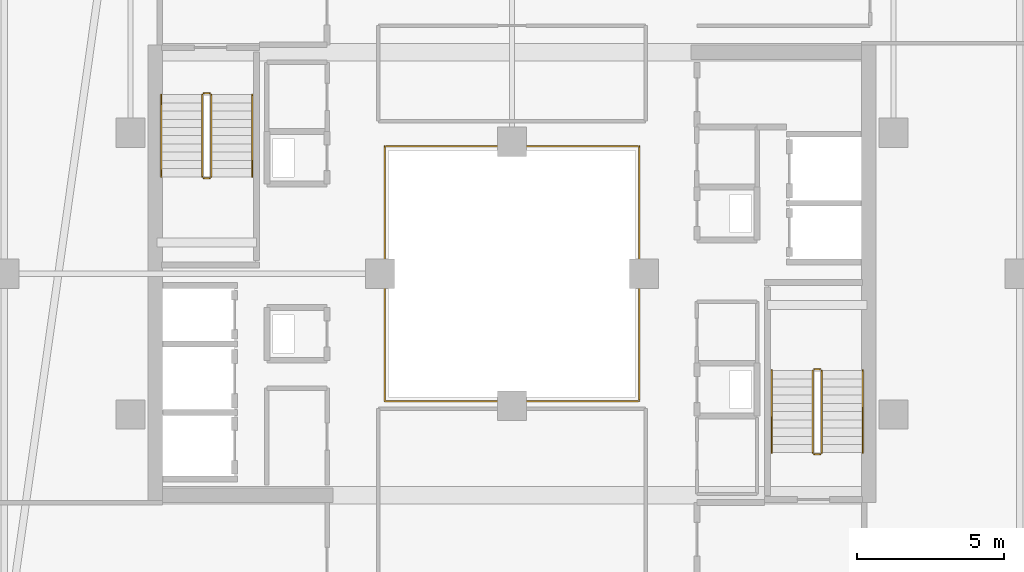
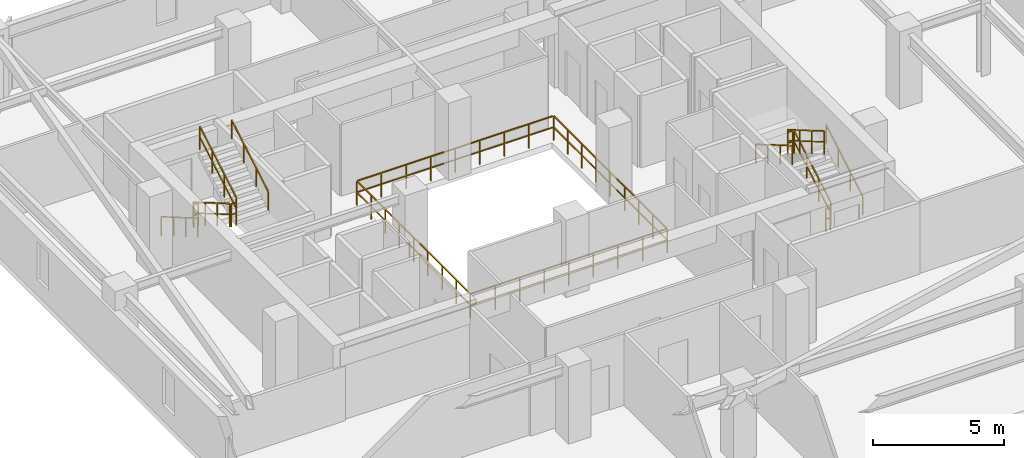
# One storey, part 30 of 31: 13 railings.
"""IFC4 building model written with IfcOpenShell, lengths in metres."""

import ifcopenshell
import ifcopenshell.guid

model = None  # the IFC model being written
_history = None  # IfcOwnerHistory: only IFC2X3 demands one
_inside = {}  # id of a spatial element -> (the spatial element, [elements in it])
_under = {}  # id of a project, library or spatial element -> (it, [spatial elements below it])
_declared = {}  # id of a project -> (the project, [libraries it declares])
_typed = {}  # id of a type object -> (the type object, [elements of that type])
_made_of = {}  # id of a material, layer set ... -> (it, [elements and type objects made of it])


def new_model(schema):
    """Start an empty IFC model of exactly this schema.

    Asked for "IFC4X3", IfcOpenShell would pick the latest addendum, in which some entities
    have other attributes; the version numbers below select the first issue.
    IFC2X3 requires an IfcOwnerHistory on every rooted entity: one is made here for all.
    """
    global model, _history
    if schema == "IFC4X3":
        model = ifcopenshell.file(schema_version=(4, 3, 0, 0))
    else:
        model = ifcopenshell.file(schema=schema)
    _inside.clear()
    _under.clear()
    _declared.clear()
    _typed.clear()
    _made_of.clear()
    _history = None
    if model.schema == "IFC2X3":
        org = make("IfcOrganization", Name="unknown")
        user = make(
            "IfcPersonAndOrganization",
            ThePerson=make("IfcPerson", FamilyName="unknown"),
            TheOrganization=org,
        )
        app = make(
            "IfcApplication",
            ApplicationDeveloper=org,
            Version="unknown",
            ApplicationFullName="unknown",
            ApplicationIdentifier="unknown",
        )
        _history = make(
            "IfcOwnerHistory",
            OwningUser=user,
            OwningApplication=app,
            ChangeAction="ADDED",
            CreationDate=0,
        )
    return model


def make(cls, **values):
    """One entity of the class cls with the attributes given. An attribute that is None is left unset."""
    return model.create_entity(
        cls, **{name: value for name, value in values.items() if value is not None}
    )


def rooted(cls, **values):
    """An entity with a GlobalId (a new one), such as an element, a storey or a relation."""
    return make(cls, GlobalId=ifcopenshell.guid.new(), OwnerHistory=_history, **values)


def si_unit(unit_type, name, prefix=None):
    """IfcSIUnit, for example si_unit("LENGTHUNIT", "METRE", prefix="MILLI")."""
    return make("IfcSIUnit", UnitType=unit_type, Prefix=prefix, Name=name)


def assignment(units):
    """IfcUnitAssignment: the units of a project."""
    return None if units is None else make("IfcUnitAssignment", Units=units)


def point(xyz):
    """IfcCartesianPoint."""
    return None if xyz is None else make("IfcCartesianPoint", Coordinates=xyz)


def direction(xyz):
    """IfcDirection."""
    return None if xyz is None else make("IfcDirection", DirectionRatios=xyz)


def frame(location, z_axis=None, x_axis=None):
    """IfcAxis2Placement3D, a coordinate frame: its origin and axes. An axis left out is left unset."""
    return make(
        "IfcAxis2Placement3D",
        Location=point(location),
        Axis=direction(z_axis),
        RefDirection=direction(x_axis),
    )


def frame_2d(location, x_axis=None):
    """IfcAxis2Placement2D, a coordinate frame in the plane: its origin and x axis."""
    return make(
        "IfcAxis2Placement2D", Location=point(location), RefDirection=direction(x_axis)
    )


def origin():
    """The frame at (0, 0, 0) with its axes left unset."""
    return frame((0.0, 0.0, 0.0))


def origin_2d():
    """The frame at (0, 0) in the plane with its x axis left unset."""
    return frame_2d((0.0, 0.0))


def place(relative_to, where):
    """IfcLocalPlacement: puts the frame where relative to a parent placement (None: the world)."""
    return make(
        "IfcLocalPlacement", PlacementRelTo=relative_to, RelativePlacement=where
    )


def context(
    kind, dimensions, precision=None, world=None, true_north=None, identifier=None
):
    """IfcGeometricRepresentationContext, for example the 3D "Model" context."""
    return make(
        "IfcGeometricRepresentationContext",
        ContextIdentifier=identifier,
        ContextType=kind,
        CoordinateSpaceDimension=dimensions,
        Precision=precision,
        WorldCoordinateSystem=world,
        TrueNorth=true_north,
    )


def subcontext(parent, identifier, kind, view, scale=None):
    """IfcGeometricRepresentationSubContext, for example "Body" below "Model"."""
    return make(
        "IfcGeometricRepresentationSubContext",
        ContextIdentifier=identifier,
        ContextType=kind,
        ParentContext=parent,
        TargetScale=scale,
        TargetView=view,
    )


def project(units=None, contexts=None):
    """IfcProject with its units and contexts."""
    return rooted(
        "IfcProject",
        Name="project",
        RepresentationContexts=contexts,
        UnitsInContext=assignment(units),
    )


def spatial(cls, under=None, at=None, **own):
    """A site, building, storey or space (cls), placed at a placement, below another one or the project."""
    s = rooted(cls, ObjectPlacement=at, **own)
    if under is not None:
        _under.setdefault(under.id(), (under, []))[1].append(s)
    return s


def profile(cls, at=None, kind="AREA", **sizes):
    """A parametric profile (cls). Its sizes go by their IFC names, for example OverallWidth=200.0."""
    return make(cls, ProfileType=kind, Position=at, **sizes)


def rectangle(**sizes):
    """IfcRectangleProfileDef."""
    return profile("IfcRectangleProfileDef", **sizes)


def extrude(swept, where, along, depth):
    """IfcExtrudedAreaSolid: the profile swept, set in the frame where, extruded along a direction by depth."""
    return make(
        "IfcExtrudedAreaSolid",
        SweptArea=swept,
        Position=where,
        ExtrudedDirection=direction(along),
        Depth=depth,
    )


def shape(context_of_items, identifier, shape_type, items):
    """IfcShapeRepresentation: the items that make up one representation, for example the "Body"."""
    return make(
        "IfcShapeRepresentation",
        ContextOfItems=context_of_items,
        RepresentationIdentifier=identifier,
        RepresentationType=shape_type,
        Items=items,
    )


def material(Name=None, Category=None):
    """IfcMaterial."""
    return make("IfcMaterial", Name=Name, Category=Category)


def made_of(thing, what):
    """Note that an element or type object is made of a material, layer set ...; save() writes the relation."""
    if what is not None:
        _made_of.setdefault(what.id(), (what, []))[1].append(thing)
    return thing


def type_object(cls, material=None, **own):
    """A type object (cls), such as IfcWallType, which elements share."""
    return made_of(rooted(cls, **own), material)


def element(
    cls,
    number,
    at=None,
    inside=None,
    cuts=None,
    type_object=None,
    material=None,
    context=None,
    identifier="Body",
    shape_type=None,
    held_by="IfcProductDefinitionShape",
    body=None,
    shapes=None,
    **own,
):
    """One element of the class cls, such as IfcWall. Its Tag is "e" and its number.

    at: its placement. inside: the storey or other place that contains it. cuts: it is an
    opening in that element (IfcRelVoidsElement). A single representation is given by context,
    identifier, shape_type and body (its items); several are given by shapes. held_by: the class
    of the entity that holds the representations. save() writes the other relations.
    """
    e = rooted(cls, Tag="e%d" % number, ObjectPlacement=at, **own)
    if body is not None:
        shapes = [shape(context, identifier, shape_type, body)]
    if shapes is not None:
        e.Representation = make(held_by, Representations=shapes)
    if inside is not None:
        _inside.setdefault(inside.id(), (inside, []))[1].append(e)
    if cuts is not None:
        rooted(
            "IfcRelVoidsElement", RelatingBuildingElement=cuts, RelatedOpeningElement=e
        )
    if type_object is not None:
        _typed.setdefault(type_object.id(), (type_object, []))[1].append(e)
    return made_of(e, material)


def aggregate(whole, parts):
    """IfcRelAggregates: a whole, such as a stair, and the parts it consists of."""
    return rooted("IfcRelAggregates", RelatingObject=whole, RelatedObjects=parts)


def save(model, path):
    """Write the relations noted so far, then the file.

    IfcRelAggregates (storeys below a building ...), IfcRelContainedInSpatialStructure (elements
    in a storey), IfcRelDefinesByType, IfcRelAssociatesMaterial and IfcRelDeclares: one each for
    every whole, place, type object, material and project.
    """
    for whole, parts in _under.values():
        aggregate(whole, parts)
    for where, things in _inside.values():
        rooted(
            "IfcRelContainedInSpatialStructure",
            RelatedElements=things,
            RelatingStructure=where,
        )
    for kind, things in _typed.values():
        rooted("IfcRelDefinesByType", RelatedObjects=things, RelatingType=kind)
    for what, things in _made_of.values():
        rooted("IfcRelAssociatesMaterial", RelatedObjects=things, RelatingMaterial=what)
    for by, libraries in _declared.values():
        rooted("IfcRelDeclares", RelatingContext=by, RelatedDefinitions=libraries)
    model.write(path)


model = new_model("IFC4")

# Units and contexts
model_context = context("Model", 3, precision=1e-05, world=origin(), true_north=direction((0.0, 1.0)))
body_context = subcontext(model_context, "Body", "Model", "MODEL_VIEW")
ifc_project = project(units=[si_unit("LENGTHUNIT", "METRE"), si_unit("AREAUNIT", "SQUARE_METRE"), si_unit("VOLUMEUNIT", "CUBIC_METRE"), si_unit("PLANEANGLEUNIT", "RADIAN"), si_unit("MASSUNIT", "GRAM", prefix="KILO")], contexts=[model_context])

# Site, building, storey
site_placement = place(None, origin())
site = spatial("IfcSite", under=ifc_project, at=site_placement, CompositionType="ELEMENT")
building_placement = place(site_placement, origin())
building = spatial("IfcBuilding", under=site, at=building_placement, Name="Thornwick Lancets Civic Towers", CompositionType="ELEMENT")
storey_placement = place(building_placement, frame((0.0, 0.0, 233.10009765625)))
storey = spatial("IfcBuildingStorey", under=building, at=storey_placement, Name="L62", CompositionType="ELEMENT", Elevation=233.10009765625)

# Railings
ifc_material_1 = material(Name="Laminated glass and bronze steel S355", Category="steel")
railing_type_1 = type_object("IfcRailingType", Name="RAIL_ATRIUM_GUARD", PredefinedType="BALUSTRADE", material=ifc_material_1)
railing_1_placement = place(storey_placement, frame((84.159912109375, 22.659912109375, 0.0)))
element("IfcRailing", 1, at=railing_1_placement, inside=storey, type_object=railing_type_1, Name="L62 Tower B Central Atrium Guard Balustrade", PredefinedType="BALUSTRADE", context=body_context, shape_type="SweptSolid", body=[
    extrude(rectangle(XDim=0.048095703125, YDim=0.048095703125, at=origin_2d()), frame((0.0, 0.0, 1.1259765625), z_axis=(1.0, 0.0, 0.0), x_axis=(0.0, 1.0, 0.0)), (0.0, 0.0, 1.0), 8.64892578125),
    extrude(rectangle(XDim=0.0419921875, YDim=0.0419921875, at=origin_2d()), frame((0.03759765625, 0.0, 0.597900390625), z_axis=(1.0, 0.0, 0.0), x_axis=(0.0, 1.0, 0.0)), (0.0, 0.0, 1.0), 1.010009765625),
    extrude(rectangle(XDim=0.0419921875, YDim=0.0419921875, at=origin_2d()), frame((1.12255859375, 0.0, 0.597900390625), z_axis=(1.0, 0.0, 0.0), x_axis=(0.0, 1.0, 0.0)), (0.0, 0.0, 1.0), 1.010009765625),
    extrude(rectangle(XDim=0.0419921875, YDim=0.0419921875, at=origin_2d()), frame((2.20751953125, 0.0, 0.597900390625), z_axis=(1.0, 0.0, 0.0), x_axis=(0.0, 1.0, 0.0)), (0.0, 0.0, 1.0), 1.010009765625),
    extrude(rectangle(XDim=0.0419921875, YDim=0.0419921875, at=origin_2d()), frame((3.29248046875, 0.0, 0.597900390625), z_axis=(1.0, 0.0, 0.0), x_axis=(0.0, 1.0, 0.0)), (0.0, 0.0, 1.0), 1.010009765625),
    extrude(rectangle(XDim=0.0419921875, YDim=0.0419921875, at=origin_2d()), frame((4.377685546875, 0.0, 0.597900390625), z_axis=(1.0, 0.0, 0.0), x_axis=(0.0, 1.0, 0.0)), (0.0, 0.0, 1.0), 1.010009765625),
    extrude(rectangle(XDim=0.0419921875, YDim=0.0419921875, at=origin_2d()), frame((5.462646484375, 0.0, 0.597900390625), z_axis=(1.0, 0.0, 0.0), x_axis=(0.0, 1.0, 0.0)), (0.0, 0.0, 1.0), 1.010009765625),
    extrude(rectangle(XDim=0.0419921875, YDim=0.0419921875, at=origin_2d()), frame((6.547607421875, 0.0, 0.597900390625), z_axis=(1.0, 0.0, 0.0), x_axis=(0.0, 1.0, 0.0)), (0.0, 0.0, 1.0), 1.010009765625),
    extrude(rectangle(XDim=0.0419921875, YDim=0.0419921875, at=origin_2d()), frame((7.632568359375, 0.0, 0.597900390625), z_axis=(1.0, 0.0, 0.0), x_axis=(0.0, 1.0, 0.0)), (0.0, 0.0, 1.0), 1.010009765625),
    extrude(rectangle(XDim=0.048095703125, YDim=0.048095703125, at=origin_2d()), frame((8.68017578125, 0.03125, 1.1259765625), z_axis=(0.0, 1.0, 0.0), x_axis=(-1.0, 0.0, 0.0)), (0.0, 0.0, 1.0), 8.61767578125),
    extrude(rectangle(XDim=0.0419921875, YDim=0.0419921875, at=origin_2d()), frame((8.68017578125, 0.03759765625, 0.597900390625), z_axis=(0.0, 1.0, 0.0), x_axis=(-1.0, 0.0, 0.0)), (0.0, 0.0, 1.0), 1.010009765625),
    extrude(rectangle(XDim=0.0419921875, YDim=0.0419921875, at=origin_2d()), frame((8.68017578125, 1.12255859375, 0.597900390625), z_axis=(0.0, 1.0, 0.0), x_axis=(-1.0, 0.0, 0.0)), (0.0, 0.0, 1.0), 1.010009765625),
    extrude(rectangle(XDim=0.0419921875, YDim=0.0419921875, at=origin_2d()), frame((8.68017578125, 2.20751953125, 0.597900390625), z_axis=(0.0, 1.0, 0.0), x_axis=(-1.0, 0.0, 0.0)), (0.0, 0.0, 1.0), 1.010009765625),
    extrude(rectangle(XDim=0.0419921875, YDim=0.0419921875, at=origin_2d()), frame((8.68017578125, 3.29248046875, 0.597900390625), z_axis=(0.0, 1.0, 0.0), x_axis=(-1.0, 0.0, 0.0)), (0.0, 0.0, 1.0), 1.010009765625),
    extrude(rectangle(XDim=0.0419921875, YDim=0.0419921875, at=origin_2d()), frame((8.68017578125, 4.377685546875, 0.597900390625), z_axis=(0.0, 1.0, 0.0), x_axis=(-1.0, 0.0, 0.0)), (0.0, 0.0, 1.0), 1.010009765625),
    extrude(rectangle(XDim=0.0419921875, YDim=0.0419921875, at=origin_2d()), frame((8.68017578125, 5.462646484375, 0.597900390625), z_axis=(0.0, 1.0, 0.0), x_axis=(-1.0, 0.0, 0.0)), (0.0, 0.0, 1.0), 1.010009765625),
    extrude(rectangle(XDim=0.0419921875, YDim=0.0419921875, at=origin_2d()), frame((8.68017578125, 6.547607421875, 0.597900390625), z_axis=(0.0, 1.0, 0.0), x_axis=(-1.0, 0.0, 0.0)), (0.0, 0.0, 1.0), 1.010009765625),
    extrude(rectangle(XDim=0.0419921875, YDim=0.0419921875, at=origin_2d()), frame((8.68017578125, 7.632568359375, 0.597900390625), z_axis=(0.0, 1.0, 0.0), x_axis=(-1.0, 0.0, 0.0)), (0.0, 0.0, 1.0), 1.010009765625),
    extrude(rectangle(XDim=0.048095703125, YDim=0.048095703125, at=origin_2d()), frame((8.64892578125, 8.68017578125, 1.1259765625), z_axis=(-1.0, 0.0, 0.0), x_axis=(0.0, -1.0, 0.0)), (0.0, 0.0, 1.0), 8.61767578125),
    extrude(rectangle(XDim=0.0419921875, YDim=0.0419921875, at=origin_2d()), frame((8.642578125, 8.68017578125, 0.597900390625), z_axis=(-1.0, 0.0, 0.0), x_axis=(0.0, -1.0, 0.0)), (0.0, 0.0, 1.0), 1.010009765625),
    extrude(rectangle(XDim=0.0419921875, YDim=0.0419921875, at=origin_2d()), frame((7.5576171875, 8.68017578125, 0.597900390625), z_axis=(-1.0, 0.0, 0.0), x_axis=(0.0, -1.0, 0.0)), (0.0, 0.0, 1.0), 1.010009765625),
    extrude(rectangle(XDim=0.0419921875, YDim=0.0419921875, at=origin_2d()), frame((6.47265625, 8.68017578125, 0.597900390625), z_axis=(-1.0, 0.0, 0.0), x_axis=(0.0, -1.0, 0.0)), (0.0, 0.0, 1.0), 1.010009765625),
    extrude(rectangle(XDim=0.0419921875, YDim=0.0419921875, at=origin_2d()), frame((5.3876953125, 8.68017578125, 0.597900390625), z_axis=(-1.0, 0.0, 0.0), x_axis=(0.0, -1.0, 0.0)), (0.0, 0.0, 1.0), 1.010009765625),
    extrude(rectangle(XDim=0.0419921875, YDim=0.0419921875, at=origin_2d()), frame((4.302490234375, 8.68017578125, 0.597900390625), z_axis=(-1.0, 0.0, 0.0), x_axis=(0.0, -1.0, 0.0)), (0.0, 0.0, 1.0), 1.010009765625),
    extrude(rectangle(XDim=0.0419921875, YDim=0.0419921875, at=origin_2d()), frame((3.217529296875, 8.68017578125, 0.597900390625), z_axis=(-1.0, 0.0, 0.0), x_axis=(0.0, -1.0, 0.0)), (0.0, 0.0, 1.0), 1.010009765625),
    extrude(rectangle(XDim=0.0419921875, YDim=0.0419921875, at=origin_2d()), frame((2.132568359375, 8.68017578125, 0.597900390625), z_axis=(-1.0, 0.0, 0.0), x_axis=(0.0, -1.0, 0.0)), (0.0, 0.0, 1.0), 1.010009765625),
    extrude(rectangle(XDim=0.0419921875, YDim=0.0419921875, at=origin_2d()), frame((1.047607421875, 8.68017578125, 0.597900390625), z_axis=(-1.0, 0.0, 0.0), x_axis=(0.0, -1.0, 0.0)), (0.0, 0.0, 1.0), 1.010009765625),
    extrude(rectangle(XDim=0.048095703125, YDim=0.048095703125, at=origin_2d()), frame((0.0, 8.64892578125, 1.1259765625), z_axis=(0.0, -1.0, 0.0), x_axis=(1.0, 0.0, 0.0)), (0.0, 0.0, 1.0), 8.64892578125),
    extrude(rectangle(XDim=0.0419921875, YDim=0.0419921875, at=origin_2d()), frame((0.0, 8.642578125, 0.597900390625), z_axis=(0.0, -1.0, 0.0), x_axis=(1.0, 0.0, 0.0)), (0.0, 0.0, 1.0), 1.010009765625),
    extrude(rectangle(XDim=0.0419921875, YDim=0.0419921875, at=origin_2d()), frame((0.0, 7.5576171875, 0.597900390625), z_axis=(0.0, -1.0, 0.0), x_axis=(1.0, 0.0, 0.0)), (0.0, 0.0, 1.0), 1.010009765625),
    extrude(rectangle(XDim=0.0419921875, YDim=0.0419921875, at=origin_2d()), frame((0.0, 6.47265625, 0.597900390625), z_axis=(0.0, -1.0, 0.0), x_axis=(1.0, 0.0, 0.0)), (0.0, 0.0, 1.0), 1.010009765625),
    extrude(rectangle(XDim=0.0419921875, YDim=0.0419921875, at=origin_2d()), frame((0.0, 5.3876953125, 0.597900390625), z_axis=(0.0, -1.0, 0.0), x_axis=(1.0, 0.0, 0.0)), (0.0, 0.0, 1.0), 1.010009765625),
    extrude(rectangle(XDim=0.0419921875, YDim=0.0419921875, at=origin_2d()), frame((0.0, 4.302490234375, 0.597900390625), z_axis=(0.0, -1.0, 0.0), x_axis=(1.0, 0.0, 0.0)), (0.0, 0.0, 1.0), 1.010009765625),
    extrude(rectangle(XDim=0.0419921875, YDim=0.0419921875, at=origin_2d()), frame((0.0, 3.217529296875, 0.597900390625), z_axis=(0.0, -1.0, 0.0), x_axis=(1.0, 0.0, 0.0)), (0.0, 0.0, 1.0), 1.010009765625),
    extrude(rectangle(XDim=0.0419921875, YDim=0.0419921875, at=origin_2d()), frame((0.0, 2.132568359375, 0.597900390625), z_axis=(0.0, -1.0, 0.0), x_axis=(1.0, 0.0, 0.0)), (0.0, 0.0, 1.0), 1.010009765625),
    extrude(rectangle(XDim=0.0419921875, YDim=0.0419921875, at=origin_2d()), frame((0.0, 1.047607421875, 0.597900390625), z_axis=(0.0, -1.0, 0.0), x_axis=(1.0, 0.0, 0.0)), (0.0, 0.0, 1.0), 1.010009765625),
    extrude(rectangle(XDim=0.0419921875, YDim=0.0419921875, at=origin_2d()), origin(), (0.0, 0.0, 1.0), 1.095703125),
    extrude(rectangle(XDim=0.0419921875, YDim=0.0419921875, at=origin_2d()), frame((1.0849609375, 0.0, 0.0)), (0.0, 0.0, 1.0), 1.095703125),
    extrude(rectangle(XDim=0.0419921875, YDim=0.0419921875, at=origin_2d()), frame((2.169921875, 0.0, 0.0)), (0.0, 0.0, 1.0), 1.095703125),
    extrude(rectangle(XDim=0.0419921875, YDim=0.0419921875, at=origin_2d()), frame((3.255126953125, 0.0, 0.0)), (0.0, 0.0, 1.0), 1.095703125),
    extrude(rectangle(XDim=0.0419921875, YDim=0.0419921875, at=origin_2d()), frame((4.340087890625, 0.0, 0.0)), (0.0, 0.0, 1.0), 1.095703125),
    extrude(rectangle(XDim=0.0419921875, YDim=0.0419921875, at=origin_2d()), frame((5.425048828125, 0.0, 0.0)), (0.0, 0.0, 1.0), 1.095703125),
    extrude(rectangle(XDim=0.0419921875, YDim=0.0419921875, at=origin_2d()), frame((6.51025390625, 0.0, 0.0)), (0.0, 0.0, 1.0), 1.095703125),
    extrude(rectangle(XDim=0.0419921875, YDim=0.0419921875, at=origin_2d()), frame((7.59521484375, 0.0, 0.0)), (0.0, 0.0, 1.0), 1.095703125),
    extrude(rectangle(XDim=0.0419921875, YDim=0.0419921875, at=origin_2d()), frame((8.68017578125, 0.0, 0.0)), (0.0, 0.0, 1.0), 1.095703125),
    extrude(rectangle(XDim=0.0419921875, YDim=0.0419921875, at=origin_2d()), frame((8.68017578125, 1.0849609375, 0.0)), (0.0, 0.0, 1.0), 1.095703125),
    extrude(rectangle(XDim=0.0419921875, YDim=0.0419921875, at=origin_2d()), frame((8.68017578125, 2.169921875, 0.0)), (0.0, 0.0, 1.0), 1.095703125),
    extrude(rectangle(XDim=0.0419921875, YDim=0.0419921875, at=origin_2d()), frame((8.68017578125, 3.255126953125, 0.0)), (0.0, 0.0, 1.0), 1.095703125),
    extrude(rectangle(XDim=0.0419921875, YDim=0.0419921875, at=origin_2d()), frame((8.68017578125, 4.340087890625, 0.0)), (0.0, 0.0, 1.0), 1.095703125),
    extrude(rectangle(XDim=0.0419921875, YDim=0.0419921875, at=origin_2d()), frame((8.68017578125, 5.425048828125, 0.0)), (0.0, 0.0, 1.0), 1.095703125),
    extrude(rectangle(XDim=0.0419921875, YDim=0.0419921875, at=origin_2d()), frame((8.68017578125, 6.51025390625, 0.0)), (0.0, 0.0, 1.0), 1.095703125),
    extrude(rectangle(XDim=0.0419921875, YDim=0.0419921875, at=origin_2d()), frame((8.68017578125, 7.59521484375, 0.0)), (0.0, 0.0, 1.0), 1.095703125),
    extrude(rectangle(XDim=0.0419921875, YDim=0.0419921875, at=origin_2d()), frame((8.68017578125, 8.68017578125, 0.0)), (0.0, 0.0, 1.0), 1.095703125),
    extrude(rectangle(XDim=0.0419921875, YDim=0.0419921875, at=origin_2d()), frame((7.59521484375, 8.68017578125, 0.0)), (0.0, 0.0, 1.0), 1.095703125),
    extrude(rectangle(XDim=0.0419921875, YDim=0.0419921875, at=origin_2d()), frame((6.51025390625, 8.68017578125, 0.0)), (0.0, 0.0, 1.0), 1.095703125),
    extrude(rectangle(XDim=0.0419921875, YDim=0.0419921875, at=origin_2d()), frame((5.425048828125, 8.68017578125, 0.0)), (0.0, 0.0, 1.0), 1.095703125),
    extrude(rectangle(XDim=0.0419921875, YDim=0.0419921875, at=origin_2d()), frame((4.340087890625, 8.68017578125, 0.0)), (0.0, 0.0, 1.0), 1.095703125),
    extrude(rectangle(XDim=0.0419921875, YDim=0.0419921875, at=origin_2d()), frame((3.255126953125, 8.68017578125, 0.0)), (0.0, 0.0, 1.0), 1.095703125),
    extrude(rectangle(XDim=0.0419921875, YDim=0.0419921875, at=origin_2d()), frame((2.169921875, 8.68017578125, 0.0)), (0.0, 0.0, 1.0), 1.095703125),
    extrude(rectangle(XDim=0.0419921875, YDim=0.0419921875, at=origin_2d()), frame((1.0849609375, 8.68017578125, 0.0)), (0.0, 0.0, 1.0), 1.095703125),
    extrude(rectangle(XDim=0.0419921875, YDim=0.0419921875, at=origin_2d()), frame((0.0, 8.68017578125, 0.0)), (0.0, 0.0, 1.0), 1.095703125),
    extrude(rectangle(XDim=0.0419921875, YDim=0.0419921875, at=origin_2d()), frame((0.0, 7.59521484375, 0.0)), (0.0, 0.0, 1.0), 1.095703125),
    extrude(rectangle(XDim=0.0419921875, YDim=0.0419921875, at=origin_2d()), frame((0.0, 6.51025390625, 0.0)), (0.0, 0.0, 1.0), 1.095703125),
    extrude(rectangle(XDim=0.0419921875, YDim=0.0419921875, at=origin_2d()), frame((0.0, 5.425048828125, 0.0)), (0.0, 0.0, 1.0), 1.095703125),
    extrude(rectangle(XDim=0.0419921875, YDim=0.0419921875, at=origin_2d()), frame((0.0, 4.340087890625, 0.0)), (0.0, 0.0, 1.0), 1.095703125),
    extrude(rectangle(XDim=0.0419921875, YDim=0.0419921875, at=origin_2d()), frame((0.0, 3.255126953125, 0.0)), (0.0, 0.0, 1.0), 1.095703125),
    extrude(rectangle(XDim=0.0419921875, YDim=0.0419921875, at=origin_2d()), frame((0.0, 2.169921875, 0.0)), (0.0, 0.0, 1.0), 1.095703125),
    extrude(rectangle(XDim=0.0419921875, YDim=0.0419921875, at=origin_2d()), frame((0.0, 1.0849609375, 0.0)), (0.0, 0.0, 1.0), 1.095703125),
])
ifc_material_2 = material(Name="Brushed stainless steel S355", Category="steel")
railing_type_2 = type_object("IfcRailingType", Name="RAIL_HANDRAIL", PredefinedType="HANDRAIL", material=ifc_material_2)
railing_2_placement = place(storey_placement, frame((100.449951171875, 20.89990234375, 0.16357421875)))
element("IfcRailing", 2, at=railing_2_placement, inside=storey, type_object=railing_type_2, Name="L62 ST-B1 stair handrail 1", PredefinedType="HANDRAIL", context=body_context, shape_type="SweptSolid", body=[
    extrude(rectangle(XDim=0.048095703125, YDim=0.048095703125, at=origin_2d()), frame((0.0, 0.0, 0.8857421875), z_axis=(0.0, 0.863393664356, 0.504530851732), x_axis=(-1.0, 0.0, 0.0)), (0.0, 0.0, 1.0), 3.2431640625),
    extrude(rectangle(XDim=0.0419921875, YDim=0.0419921875, at=origin_2d()), origin(), (0.0, 0.0, 1.0), 0.855712890625),
    extrude(rectangle(XDim=0.0419921875, YDim=0.0419921875, at=origin_2d()), frame((0.0, 0.933349609375, 0.54541015625)), (0.0, 0.0, 1.0), 0.855712890625),
    extrude(rectangle(XDim=0.0419921875, YDim=0.0419921875, at=origin_2d()), frame((0.0, 1.86669921875, 1.0908203125)), (0.0, 0.0, 1.0), 0.855712890625),
    extrude(rectangle(XDim=0.0419921875, YDim=0.0419921875, at=origin_2d()), frame((0.0, 2.800048828125, 1.63623046875)), (0.0, 0.0, 1.0), 0.855712890625),
])
for number, where, name in (
    (3, (97.35009765625, 23.699951171875, 1.963623046875), "L62 ST-B1 stair handrail 2"),
    (4, (76.550048828125, 33.10009765625, 0.16357421875), "L62 ST-B2 stair handrail 1"),
):
    element("IfcRailing", number, at=place(storey_placement, frame(where)), inside=storey, type_object=railing_type_2, Name=name, PredefinedType="HANDRAIL", context=body_context, shape_type="SweptSolid", body=[
        extrude(rectangle(XDim=0.048095703125, YDim=0.048095703125, at=origin_2d()), frame((0.0, 0.0, 0.8857421875), z_axis=(0.0, -0.863393664356, 0.504530851732), x_axis=(1.0, 0.0, 0.0)), (0.0, 0.0, 1.0), 3.2431640625),
        extrude(rectangle(XDim=0.0419921875, YDim=0.0419921875, at=origin_2d()), origin(), (0.0, 0.0, 1.0), 0.855712890625),
        extrude(rectangle(XDim=0.0419921875, YDim=0.0419921875, at=origin_2d()), frame((0.0, -0.933349609375, 0.54541015625)), (0.0, 0.0, 1.0), 0.855712890625),
        extrude(rectangle(XDim=0.0419921875, YDim=0.0419921875, at=origin_2d()), frame((0.0, -1.86669921875, 1.0908203125)), (0.0, 0.0, 1.0), 0.855712890625),
        extrude(rectangle(XDim=0.0419921875, YDim=0.0419921875, at=origin_2d()), frame((0.0, -2.800048828125, 1.63623046875)), (0.0, 0.0, 1.0), 0.855712890625),
    ])
railing_3_placement = place(storey_placement, frame((79.64990234375, 30.300048828125, 1.963623046875)))
element("IfcRailing", 5, at=railing_3_placement, inside=storey, type_object=railing_type_2, Name="L62 ST-B2 stair handrail 2", PredefinedType="HANDRAIL", context=body_context, shape_type="SweptSolid", body=[
    extrude(rectangle(XDim=0.048095703125, YDim=0.048095703125, at=origin_2d()), frame((0.0, 0.0, 0.8857421875), z_axis=(0.0, 0.863393664356, 0.504530851732), x_axis=(-1.0, 0.0, 0.0)), (0.0, 0.0, 1.0), 3.2431640625),
    extrude(rectangle(XDim=0.0419921875, YDim=0.0419921875, at=origin_2d()), origin(), (0.0, 0.0, 1.0), 0.855712890625),
    extrude(rectangle(XDim=0.0419921875, YDim=0.0419921875, at=origin_2d()), frame((0.0, 0.933349609375, 0.54541015625)), (0.0, 0.0, 1.0), 0.855712890625),
    extrude(rectangle(XDim=0.0419921875, YDim=0.0419921875, at=origin_2d()), frame((0.0, 1.86669921875, 1.0908203125)), (0.0, 0.0, 1.0), 0.855712890625),
    extrude(rectangle(XDim=0.0419921875, YDim=0.0419921875, at=origin_2d()), frame((0.0, 2.800048828125, 1.63623046875)), (0.0, 0.0, 1.0), 0.855712890625),
])
ifc_material_3 = material(Name="Steel S355JR", Category="steel")
railing_type_3 = type_object("IfcRailingType", Name="RAIL_STAIR_GUARD", PredefinedType="GUARDRAIL", material=ifc_material_3)
railing_4_placement = place(storey_placement, frame((99.050048828125, 20.89990234375, 0.16357421875)))
element("IfcRailing", 6, at=railing_4_placement, inside=storey, type_object=railing_type_3, Name="L62 ST-B1 stair guard 1", PredefinedType="GUARDRAIL", context=body_context, shape_type="SweptSolid", body=[
    extrude(rectangle(XDim=0.048095703125, YDim=0.048095703125, at=origin_2d()), frame((0.0, 0.0, 1.076171875), z_axis=(0.0, 0.863393664356, 0.504530851732), x_axis=(-1.0, 0.0, 0.0)), (0.0, 0.0, 1.0), 3.2431640625),
    extrude(rectangle(XDim=0.0419921875, YDim=0.0419921875, at=origin_2d()), frame((0.0, 0.032470703125, 0.591064453125), z_axis=(0.0, 0.863393664356, 0.504530851732), x_axis=(-1.0, 0.0, 0.0)), (0.0, 0.0, 1.0), 1.006103515625),
    extrude(rectangle(XDim=0.0419921875, YDim=0.0419921875, at=origin_2d()), frame((0.0, 0.9658203125, 1.136474609375), z_axis=(0.0, 0.863393664356, 0.504530851732), x_axis=(-1.0, 0.0, 0.0)), (0.0, 0.0, 1.0), 1.006103515625),
    extrude(rectangle(XDim=0.0419921875, YDim=0.0419921875, at=origin_2d()), frame((0.0, 1.899169921875, 1.681884765625), z_axis=(0.0, 0.863393664356, 0.504530851732), x_axis=(-1.0, 0.0, 0.0)), (0.0, 0.0, 1.0), 1.006103515625),
    extrude(rectangle(XDim=0.0419921875, YDim=0.0419921875, at=origin_2d()), origin(), (0.0, 0.0, 1.0), 1.0458984375),
    extrude(rectangle(XDim=0.0419921875, YDim=0.0419921875, at=origin_2d()), frame((0.0, 0.933349609375, 0.54541015625)), (0.0, 0.0, 1.0), 1.0458984375),
    extrude(rectangle(XDim=0.0419921875, YDim=0.0419921875, at=origin_2d()), frame((0.0, 1.86669921875, 1.0908203125)), (0.0, 0.0, 1.0), 1.0458984375),
    extrude(rectangle(XDim=0.0419921875, YDim=0.0419921875, at=origin_2d()), frame((0.0, 2.800048828125, 1.63623046875)), (0.0, 0.0, 1.0), 1.0458984375),
])
railing_5_placement = place(storey_placement, frame((99.0, 23.75, 1.7998046875)))
element("IfcRailing", 7, at=railing_5_placement, inside=storey, type_object=railing_type_3, Name="L62 ST-B1 stair guard 2", PredefinedType="GUARDRAIL", context=body_context, shape_type="SweptSolid", body=[
    extrude(rectangle(XDim=0.048095703125, YDim=0.048095703125, at=origin_2d()), frame((0.0, 0.0, 1.076171875), z_axis=(-1.0, 0.0, 0.0), x_axis=(0.0, -1.0, 0.0)), (0.0, 0.0, 1.0), 0.199951171875),
    extrude(rectangle(XDim=0.0419921875, YDim=0.0419921875, at=origin_2d()), frame((-0.03759765625, 0.0, 0.572021484375), z_axis=(-1.0, 0.0, 0.0), x_axis=(0.0, -1.0, 0.0)), (0.0, 0.0, 1.0), 0.125),
    extrude(rectangle(XDim=0.0419921875, YDim=0.0419921875, at=origin_2d()), origin(), (0.0, 0.0, 1.0), 1.0458984375),
    extrude(rectangle(XDim=0.0419921875, YDim=0.0419921875, at=origin_2d()), frame((-0.199951171875, 0.0, 0.0)), (0.0, 0.0, 1.0), 1.0458984375),
])
railing_6_placement = place(storey_placement, frame((98.75, 23.699951171875, 1.963623046875)))
element("IfcRailing", 8, at=railing_6_placement, inside=storey, type_object=railing_type_3, Name="L62 ST-B1 stair guard 3", PredefinedType="GUARDRAIL", context=body_context, shape_type="SweptSolid", body=[
    extrude(rectangle(XDim=0.048095703125, YDim=0.048095703125, at=origin_2d()), frame((0.0, 0.0, 1.076171875), z_axis=(0.0, -0.863393664356, 0.504530851732), x_axis=(1.0, 0.0, 0.0)), (0.0, 0.0, 1.0), 3.2431640625),
    extrude(rectangle(XDim=0.0419921875, YDim=0.0419921875, at=origin_2d()), frame((0.0, -0.032470703125, 0.591064453125), z_axis=(0.0, -0.863393664356, 0.504530851732), x_axis=(1.0, 0.0, 0.0)), (0.0, 0.0, 1.0), 1.006103515625),
    extrude(rectangle(XDim=0.0419921875, YDim=0.0419921875, at=origin_2d()), frame((0.0, -0.9658203125, 1.136474609375), z_axis=(0.0, -0.863393664356, 0.504530851732), x_axis=(1.0, 0.0, 0.0)), (0.0, 0.0, 1.0), 1.006103515625),
    extrude(rectangle(XDim=0.0419921875, YDim=0.0419921875, at=origin_2d()), frame((0.0, -1.899169921875, 1.681884765625), z_axis=(0.0, -0.863393664356, 0.504530851732), x_axis=(1.0, 0.0, 0.0)), (0.0, 0.0, 1.0), 1.006103515625),
    extrude(rectangle(XDim=0.0419921875, YDim=0.0419921875, at=origin_2d()), origin(), (0.0, 0.0, 1.0), 1.0458984375),
    extrude(rectangle(XDim=0.0419921875, YDim=0.0419921875, at=origin_2d()), frame((0.0, -0.933349609375, 0.54541015625)), (0.0, 0.0, 1.0), 1.0458984375),
    extrude(rectangle(XDim=0.0419921875, YDim=0.0419921875, at=origin_2d()), frame((0.0, -1.86669921875, 1.0908203125)), (0.0, 0.0, 1.0), 1.0458984375),
    extrude(rectangle(XDim=0.0419921875, YDim=0.0419921875, at=origin_2d()), frame((0.0, -2.800048828125, 1.63623046875)), (0.0, 0.0, 1.0), 1.0458984375),
])
railing_7_placement = place(storey_placement, frame((99.0, 20.85009765625, 0.0)))
element("IfcRailing", 9, at=railing_7_placement, inside=storey, type_object=railing_type_3, Name="L62 ST-B1 stair guard 4", PredefinedType="GUARDRAIL", context=body_context, shape_type="SweptSolid", body=[
    extrude(rectangle(XDim=0.048095703125, YDim=0.048095703125, at=origin_2d()), frame((0.0, 0.0, 1.076171875), z_axis=(-1.0, 0.0, 0.0), x_axis=(0.0, -1.0, 0.0)), (0.0, 0.0, 1.0), 0.199951171875),
    extrude(rectangle(XDim=0.0419921875, YDim=0.0419921875, at=origin_2d()), frame((-0.03759765625, 0.0, 0.572021484375), z_axis=(-1.0, 0.0, 0.0), x_axis=(0.0, -1.0, 0.0)), (0.0, 0.0, 1.0), 0.125),
    extrude(rectangle(XDim=0.0419921875, YDim=0.0419921875, at=origin_2d()), origin(), (0.0, 0.0, 1.0), 1.0458984375),
    extrude(rectangle(XDim=0.0419921875, YDim=0.0419921875, at=origin_2d()), frame((-0.199951171875, 0.0, 0.0)), (0.0, 0.0, 1.0), 1.0458984375),
])
railing_8_placement = place(storey_placement, frame((77.949951171875, 33.10009765625, 0.16357421875)))
element("IfcRailing", 10, at=railing_8_placement, inside=storey, type_object=railing_type_3, Name="L62 ST-B2 stair guard 1", PredefinedType="GUARDRAIL", context=body_context, shape_type="SweptSolid", body=[
    extrude(rectangle(XDim=0.048095703125, YDim=0.048095703125, at=origin_2d()), frame((0.0, 0.0, 1.076171875), z_axis=(0.0, -0.863393664356, 0.504530851732), x_axis=(1.0, 0.0, 0.0)), (0.0, 0.0, 1.0), 3.2431640625),
    extrude(rectangle(XDim=0.0419921875, YDim=0.0419921875, at=origin_2d()), frame((0.0, -0.032470703125, 0.591064453125), z_axis=(0.0, -0.863393664356, 0.504530851732), x_axis=(1.0, 0.0, 0.0)), (0.0, 0.0, 1.0), 1.006103515625),
    extrude(rectangle(XDim=0.0419921875, YDim=0.0419921875, at=origin_2d()), frame((0.0, -0.9658203125, 1.136474609375), z_axis=(0.0, -0.863393664356, 0.504530851732), x_axis=(1.0, 0.0, 0.0)), (0.0, 0.0, 1.0), 1.006103515625),
    extrude(rectangle(XDim=0.0419921875, YDim=0.0419921875, at=origin_2d()), frame((0.0, -1.899169921875, 1.681884765625), z_axis=(0.0, -0.863393664356, 0.504530851732), x_axis=(1.0, 0.0, 0.0)), (0.0, 0.0, 1.0), 1.006103515625),
    extrude(rectangle(XDim=0.0419921875, YDim=0.0419921875, at=origin_2d()), origin(), (0.0, 0.0, 1.0), 1.0458984375),
    extrude(rectangle(XDim=0.0419921875, YDim=0.0419921875, at=origin_2d()), frame((0.0, -0.933349609375, 0.54541015625)), (0.0, 0.0, 1.0), 1.0458984375),
    extrude(rectangle(XDim=0.0419921875, YDim=0.0419921875, at=origin_2d()), frame((0.0, -1.86669921875, 1.0908203125)), (0.0, 0.0, 1.0), 1.0458984375),
    extrude(rectangle(XDim=0.0419921875, YDim=0.0419921875, at=origin_2d()), frame((0.0, -2.800048828125, 1.63623046875)), (0.0, 0.0, 1.0), 1.0458984375),
])
railing_9_placement = place(storey_placement, frame((78.0, 30.25, 1.7998046875)))
element("IfcRailing", 11, at=railing_9_placement, inside=storey, type_object=railing_type_3, Name="L62 ST-B2 stair guard 2", PredefinedType="GUARDRAIL", context=body_context, shape_type="SweptSolid", body=[
    extrude(rectangle(XDim=0.048095703125, YDim=0.048095703125, at=origin_2d()), frame((0.0, 0.0, 1.076171875), z_axis=(1.0, 0.0, 0.0), x_axis=(0.0, 1.0, 0.0)), (0.0, 0.0, 1.0), 0.199951171875),
    extrude(rectangle(XDim=0.0419921875, YDim=0.0419921875, at=origin_2d()), frame((0.03759765625, 0.0, 0.572021484375), z_axis=(1.0, 0.0, 0.0), x_axis=(0.0, 1.0, 0.0)), (0.0, 0.0, 1.0), 0.125),
    extrude(rectangle(XDim=0.0419921875, YDim=0.0419921875, at=origin_2d()), origin(), (0.0, 0.0, 1.0), 1.0458984375),
    extrude(rectangle(XDim=0.0419921875, YDim=0.0419921875, at=origin_2d()), frame((0.199951171875, 0.0, 0.0)), (0.0, 0.0, 1.0), 1.0458984375),
])
railing_10_placement = place(storey_placement, frame((78.25, 30.300048828125, 1.963623046875)))
element("IfcRailing", 12, at=railing_10_placement, inside=storey, type_object=railing_type_3, Name="L62 ST-B2 stair guard 3", PredefinedType="GUARDRAIL", context=body_context, shape_type="SweptSolid", body=[
    extrude(rectangle(XDim=0.048095703125, YDim=0.048095703125, at=origin_2d()), frame((0.0, 0.0, 1.076171875), z_axis=(0.0, 0.863393664356, 0.504530851732), x_axis=(-1.0, 0.0, 0.0)), (0.0, 0.0, 1.0), 3.2431640625),
    extrude(rectangle(XDim=0.0419921875, YDim=0.0419921875, at=origin_2d()), frame((0.0, 0.032470703125, 0.591064453125), z_axis=(0.0, 0.863393664356, 0.504530851732), x_axis=(-1.0, 0.0, 0.0)), (0.0, 0.0, 1.0), 1.006103515625),
    extrude(rectangle(XDim=0.0419921875, YDim=0.0419921875, at=origin_2d()), frame((0.0, 0.9658203125, 1.136474609375), z_axis=(0.0, 0.863393664356, 0.504530851732), x_axis=(-1.0, 0.0, 0.0)), (0.0, 0.0, 1.0), 1.006103515625),
    extrude(rectangle(XDim=0.0419921875, YDim=0.0419921875, at=origin_2d()), frame((0.0, 1.899169921875, 1.681884765625), z_axis=(0.0, 0.863393664356, 0.504530851732), x_axis=(-1.0, 0.0, 0.0)), (0.0, 0.0, 1.0), 1.006103515625),
    extrude(rectangle(XDim=0.0419921875, YDim=0.0419921875, at=origin_2d()), origin(), (0.0, 0.0, 1.0), 1.0458984375),
    extrude(rectangle(XDim=0.0419921875, YDim=0.0419921875, at=origin_2d()), frame((0.0, 0.933349609375, 0.54541015625)), (0.0, 0.0, 1.0), 1.0458984375),
    extrude(rectangle(XDim=0.0419921875, YDim=0.0419921875, at=origin_2d()), frame((0.0, 1.86669921875, 1.0908203125)), (0.0, 0.0, 1.0), 1.0458984375),
    extrude(rectangle(XDim=0.0419921875, YDim=0.0419921875, at=origin_2d()), frame((0.0, 2.800048828125, 1.63623046875)), (0.0, 0.0, 1.0), 1.0458984375),
])
railing_11_placement = place(storey_placement, frame((78.0, 33.14990234375, 0.0)))
element("IfcRailing", 13, at=railing_11_placement, inside=storey, type_object=railing_type_3, Name="L62 ST-B2 stair guard 4", PredefinedType="GUARDRAIL", context=body_context, shape_type="SweptSolid", body=[
    extrude(rectangle(XDim=0.048095703125, YDim=0.048095703125, at=origin_2d()), frame((0.0, 0.0, 1.076171875), z_axis=(1.0, 0.0, 0.0), x_axis=(0.0, 1.0, 0.0)), (0.0, 0.0, 1.0), 0.199951171875),
    extrude(rectangle(XDim=0.0419921875, YDim=0.0419921875, at=origin_2d()), frame((0.03759765625, 0.0, 0.572021484375), z_axis=(1.0, 0.0, 0.0), x_axis=(0.0, 1.0, 0.0)), (0.0, 0.0, 1.0), 0.125),
    extrude(rectangle(XDim=0.0419921875, YDim=0.0419921875, at=origin_2d()), origin(), (0.0, 0.0, 1.0), 1.0458984375),
    extrude(rectangle(XDim=0.0419921875, YDim=0.0419921875, at=origin_2d()), frame((0.199951171875, 0.0, 0.0)), (0.0, 0.0, 1.0), 1.0458984375),
])

save(model, "model.ifc")
